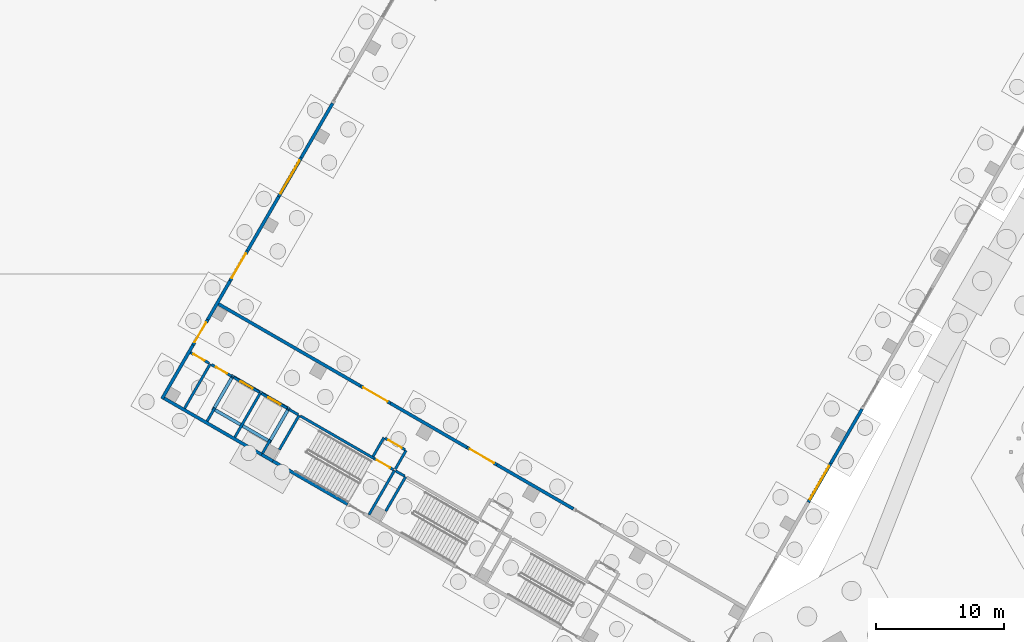
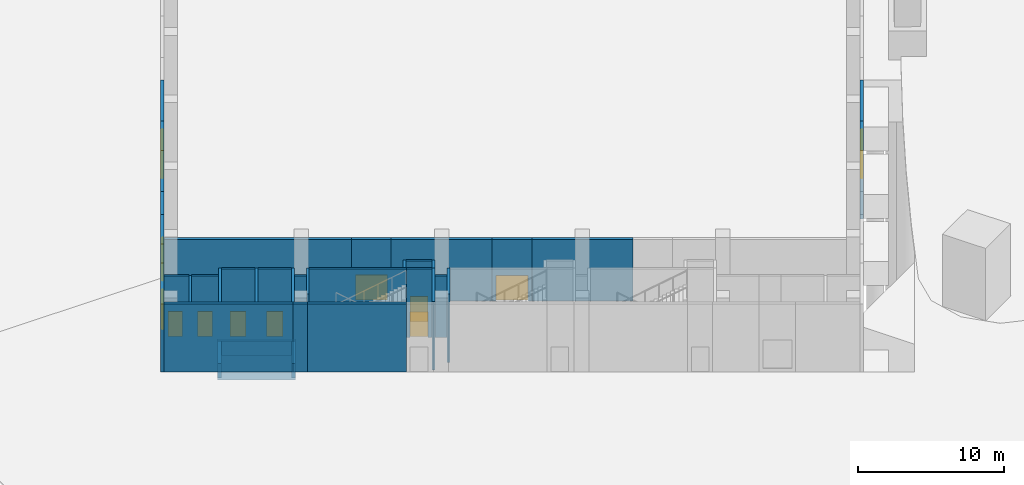
# One storey, part 14 of 38: 39 walls, 10 doors, 2 windows, 12 openings.
"""IFC4 building model written with IfcOpenShell, lengths in metres."""

from ifc_helpers import new_model, si_unit, direction, frame, frame_2d, origin, place, context, subcontext, project, spatial, rectangle, extrude, material, layer, layer_set, type_object, element, fill, save


model = new_model("IFC4")

# Units and contexts
model_context = context("Model", 3, precision=1e-05, world=origin(), true_north=direction((0.0, 1.0)))
body_context = subcontext(model_context, "Body", "Model", "MODEL_VIEW")
ifc_project = project(units=[si_unit("LENGTHUNIT", "METRE"), si_unit("AREAUNIT", "SQUARE_METRE"), si_unit("VOLUMEUNIT", "CUBIC_METRE"), si_unit("PLANEANGLEUNIT", "RADIAN"), si_unit("MASSUNIT", "GRAM", prefix="KILO")], contexts=[model_context])

# Site, building, storey
site_placement = place(None, origin())
site = spatial("IfcSite", under=ifc_project, at=site_placement, CompositionType="ELEMENT")
building_placement = place(site_placement, origin())
building = spatial("IfcBuilding", under=site, at=building_placement, Name="Mestral Congress Tower", CompositionType="ELEMENT")
storey_placement = place(building_placement, origin())
storey = spatial("IfcBuildingStorey", under=building, at=storey_placement, Name="L00", CompositionType="ELEMENT", Elevation=0.0)

# Walls
ifc_material_1 = material(Name="Concrete C35/45", Category="concrete")
ifc_layer_1 = layer(ifc_material_1, 0.25)
ifc_layer_set_1 = layer_set([ifc_layer_1], Name="Concrete C35/45")
wall_type_1 = type_object("IfcWallType", Name="Lift pit wall 250 C35/45", PredefinedType="SOLIDWALL", material=ifc_layer_set_1)
for number, where, z_axis, x_axis, name in (
    (1, (-73.918701171875, 1.42529296875, -1.5), (0.0, 0.0, 1.0), (-0.866029095148, 0.499993606316, 0.0), "WL-PIT-W1-A"),
    (2, (-75.3935546875, -1.12939453125, -1.5), (0.0, 0.0, 1.0), (-0.866029095148, 0.499993606316, 0.0), "WL-PIT-W1-B"),
):
    element("IfcWall", number, at=place(storey_placement, frame(where, z_axis=z_axis, x_axis=x_axis)), inside=storey, type_object=wall_type_1, Name=name, PredefinedType="SOLIDWALL", context=body_context, shape_type="SweptSolid", body=[
        extrude(rectangle(XDim=5.2998046875, YDim=0.25, at=frame_2d((2.64990234375, 0.0))), origin(), (0.0, 0.0, 1.0), 1.199951171875),
    ])
wall_1_placement = place(storey_placement, frame((-74.08935546875, 1.37939453125, -1.5), z_axis=(0.0, 0.0, 1.0), x_axis=(-0.499980770555, -0.866036505625, 0.0)))
element("IfcWall", 3, at=wall_1_placement, inside=storey, type_object=wall_type_1, Name="WL-PIT-W1-C", PredefinedType="SOLIDWALL", context=body_context, shape_type="SweptSolid", body=[
    extrude(rectangle(XDim=2.69970703125, YDim=0.25, at=frame_2d((1.349853515625, 0.0))), origin(), (0.0, 0.0, 1.0), 1.199951171875),
])
wall_2_placement = place(storey_placement, frame((-78.462890625, 3.904541015625, -1.5), z_axis=(0.0, 0.0, 1.0), x_axis=(-0.4999416173, -0.866059108428, 0.0)))
element("IfcWall", 4, at=wall_2_placement, inside=storey, type_object=wall_type_1, Name="WL-PIT-W1-D", PredefinedType="SOLIDWALL", context=body_context, shape_type="SweptSolid", body=[
    extrude(rectangle(XDim=2.699951171875, YDim=0.25, at=frame_2d((1.35009765625, 0.0))), origin(), (0.0, 0.0, 1.0), 1.199951171875),
])
ifc_material_2 = material(Name="Precast concrete C40/50 with limestone facing", Category="masonry")
ifc_layer_2 = layer(ifc_material_2, 0.25)
ifc_layer_set_2 = layer_set([ifc_layer_2], Name="Precast concrete C40/50 with limestone facing")
wall_type_2 = type_object("IfcWallType", Name="Podium external wall 250", PredefinedType="SOLIDWALL", material=ifc_layer_set_2)
wall_3_placement = place(storey_placement, frame((-29.237548828125, 1.465087890625, 0.0), z_axis=(0.0, 0.0, 1.0), x_axis=(-0.49998122708, -0.866036242063, 0.0)))
element("IfcWall", 5, at=wall_3_placement, inside=storey, type_object=wall_type_2, Name="L00 external wall", PredefinedType="SOLIDWALL", context=body_context, shape_type="SweptSolid", body=[
    extrude(rectangle(XDim=4.900146484375, YDim=0.25, at=frame_2d((2.4501953125, 0.0))), origin(), (0.0, 0.0, 1.0), 5.699951171875),
])

# Wall, opening, window
wall_4_placement = place(storey_placement, frame((-31.6875, -2.778564453125, 0.0), z_axis=(0.0, 0.0, 1.0), x_axis=(-0.500010275428, -0.866019471182, 0.0)))
wall_4 = element("IfcWall", 6, at=wall_4_placement, inside=storey, type_object=wall_type_2, Name="L00 external wall", PredefinedType="SOLIDWALL", context=body_context, shape_type="SweptSolid", body=[
    extrude(rectangle(XDim=3.5, YDim=0.25, at=frame_2d((1.75, 0.0))), origin(), (0.0, 0.0, 1.0), 5.699951171875),
])
opening_1_placement = place(wall_4_placement, frame((0.25, 0.0, 3.199951171875)))
opening_1 = element("IfcOpeningElement", 7, at=opening_1_placement, cuts=wall_4, Name="Opening PW-3000x2000", PredefinedType="OPENING", context=body_context, shape_type="SweptSolid", body=[
    extrude(rectangle(XDim=3.0, YDim=2.0, at=frame_2d((1.5, 1.0))), frame((0.0, 0.135009765625, 0.0), z_axis=(0.0, -1.0, 0.0), x_axis=(1.0, 0.0, 0.0)), (0.0, 0.0, 1.0), 0.27001953125),
])
ifc_material_3 = material(Name="Aluminium frame, clear double glazing", Category="aluminium")
window_type = type_object("IfcWindowType", Name="Podium window 3000x2000 sill 3200", PartitioningType="SINGLE_PANEL", PredefinedType="WINDOW", material=ifc_material_3)
window_1_placement = place(opening_1_placement, origin())
window_1 = element("IfcWindow", 8, at=window_1_placement, inside=storey, type_object=window_type, Name="Window", OverallHeight=2.0, OverallWidth=3.0, PartitioningType="SINGLE_PANEL", PredefinedType="WINDOW", context=body_context, shape_type="SweptSolid", body=[
    extrude(rectangle(XDim=3.0, YDim=2.0, at=frame_2d((1.5, 1.0))), frame((0.0, 0.030029296875, 0.0), z_axis=(0.0, -1.0, 0.0), x_axis=(1.0, 0.0, 0.0)), (0.0, 0.0, 1.0), 0.06005859375),
])
fill(opening_1, window_1)

# Wall
wall_5_placement = place(storey_placement, frame((-73.040283203125, 21.096435546875, 0.0), z_axis=(0.0, 0.0, 1.0), x_axis=(0.49998122708, 0.866036242063, 0.0)))
element("IfcWall", 9, at=wall_5_placement, inside=storey, type_object=wall_type_2, Name="L00 external wall", PredefinedType="SOLIDWALL", context=body_context, shape_type="SweptSolid", body=[
    extrude(rectangle(XDim=4.900146484375, YDim=0.25, at=frame_2d((2.4501953125, 0.0))), origin(), (0.0, 0.0, 1.0), 5.699951171875),
])

# Wall, opening, window
wall_6_placement = place(storey_placement, frame((-74.790283203125, 18.0654296875, 0.0), z_axis=(0.0, 0.0, 1.0), x_axis=(0.500010275428, 0.866019471182, 0.0)))
wall_6 = element("IfcWall", 10, at=wall_6_placement, inside=storey, type_object=wall_type_2, Name="L00 external wall", PredefinedType="SOLIDWALL", context=body_context, shape_type="SweptSolid", body=[
    extrude(rectangle(XDim=3.5, YDim=0.25, at=frame_2d((1.75, 0.0))), origin(), (0.0, 0.0, 1.0), 5.699951171875),
])
opening_2_placement = place(wall_6_placement, frame((0.25, 0.0, 3.199951171875)))
opening_2 = element("IfcOpeningElement", 11, at=opening_2_placement, cuts=wall_6, Name="Opening PW-3000x2000", PredefinedType="OPENING", context=body_context, shape_type="SweptSolid", body=[
    extrude(rectangle(XDim=3.0, YDim=2.0, at=frame_2d((1.5, 1.0))), frame((0.0, 0.135009765625, 0.0), z_axis=(0.0, -1.0, 0.0), x_axis=(1.0, 0.0, 0.0)), (0.0, 0.0, 1.0), 0.27001953125),
])
window_2_placement = place(opening_2_placement, origin())
window_2 = element("IfcWindow", 12, at=window_2_placement, inside=storey, type_object=window_type, Name="Window", OverallHeight=2.0, OverallWidth=3.0, PartitioningType="SINGLE_PANEL", PredefinedType="WINDOW", context=body_context, shape_type="SweptSolid", body=[
    extrude(rectangle(XDim=3.0, YDim=2.0, at=frame_2d((1.5, 1.0))), frame((0.0, 0.030029296875, 0.0), z_axis=(0.0, -1.0, 0.0), x_axis=(1.0, 0.0, 0.0)), (0.0, 0.0, 1.0), 0.06005859375),
])
fill(opening_2, window_2)

# Wall
wall_7_placement = place(storey_placement, frame((-77.240234375, 13.822021484375, 0.0), z_axis=(0.0, 0.0, 1.0), x_axis=(0.500002801628, 0.866023786258, 0.0)))
element("IfcWall", 13, at=wall_7_placement, inside=storey, type_object=wall_type_2, Name="L00 external wall", PredefinedType="SOLIDWALL", context=body_context, shape_type="SweptSolid", body=[
    extrude(rectangle(XDim=4.89990234375, YDim=0.25, at=frame_2d((2.449951171875, 0.0))), origin(), (0.0, 0.0, 1.0), 5.699951171875),
])

# Wall, opening, door
wall_8_placement = place(storey_placement, frame((-78.59033203125, 11.483642578125, 0.0), z_axis=(0.0, 0.0, 1.0), x_axis=(0.50000943426, 0.866019956843, 0.0)))
wall_8 = element("IfcWall", 14, at=wall_8_placement, inside=storey, type_object=wall_type_2, Name="L00 external wall", PredefinedType="SOLIDWALL", context=body_context, shape_type="SweptSolid", body=[
    extrude(rectangle(XDim=2.7001953125, YDim=0.25, at=frame_2d((1.35009765625, 0.0))), origin(), (0.0, 0.0, 1.0), 5.699951171875),
])
opening_3_placement = place(wall_8_placement, frame((0.25, 0.0, 0.0)))
opening_3 = element("IfcOpeningElement", 15, at=opening_3_placement, cuts=wall_8, Name="Opening P00-311", PredefinedType="OPENING", context=body_context, shape_type="SweptSolid", body=[
    extrude(rectangle(XDim=2.199951171875, YDim=2.10009765625, at=frame_2d((1.10009765625, 1.050048828125))), frame((0.0, 0.135009765625, 0.0), z_axis=(0.0, -1.0, 0.0), x_axis=(1.0, 0.0, 0.0)), (0.0, 0.0, 1.0), 0.27001953125),
])
ifc_material_4 = material(Name="Steel and glass door set", Category="steel")
door_type_1 = type_object("IfcDoorType", Name="Podium exit door 2200x2100", OperationType="DOUBLE_DOOR_SINGLE_SWING", PredefinedType="DOOR", material=ifc_material_4)
door_1_placement = place(opening_3_placement, origin())
door_1 = element("IfcDoor", 16, at=door_1_placement, inside=storey, type_object=door_type_1, Name="Door P00-311", OperationType="DOUBLE_DOOR_SINGLE_SWING", OverallHeight=2.10009765625, OverallWidth=2.199951171875, PredefinedType="DOOR", context=body_context, shape_type="SweptSolid", body=[
    extrude(rectangle(XDim=2.199951171875, YDim=2.10009765625, at=frame_2d((1.10009765625, 1.050048828125))), frame((0.0, 0.02490234375, 0.0), z_axis=(0.0, -1.0, 0.0), x_axis=(1.0, 0.0, 0.0)), (0.0, 0.0, 1.0), 0.050048828125),
])
fill(opening_3, door_1)

# Wall
wall_9_placement = place(storey_placement, frame((-80.34033203125, 8.452392578125, 0.0), z_axis=(0.0, 0.0, 1.0), x_axis=(0.499980071345, 0.866036909293, 0.0)))
element("IfcWall", 17, at=wall_9_placement, inside=storey, type_object=wall_type_2, Name="L00 external wall", PredefinedType="SOLIDWALL", context=body_context, shape_type="SweptSolid", body=[
    extrude(rectangle(XDim=3.500244140625, YDim=0.25, at=frame_2d((1.75, 0.0))), origin(), (0.0, 0.0, 1.0), 5.699951171875),
])

# Wall, opening, door
wall_10_placement = place(storey_placement, frame((-81.490234375, 6.460693359375, 0.0), z_axis=(0.0, 0.0, 1.0), x_axis=(0.499998129301, 0.86602648383, 0.0)))
wall_10 = element("IfcWall", 18, at=wall_10_placement, inside=storey, type_object=wall_type_2, Name="L00 external wall", PredefinedType="SOLIDWALL", context=body_context, shape_type="SweptSolid", body=[
    extrude(rectangle(XDim=2.2998046875, YDim=0.25, at=frame_2d((1.14990234375, 0.0))), origin(), (0.0, 0.0, 1.0), 5.699951171875),
])
opening_4_placement = place(wall_10_placement, frame((0.25, 0.0, 0.0)))
opening_4 = element("IfcOpeningElement", 19, at=opening_4_placement, cuts=wall_10, Name="Opening P00-312", PredefinedType="OPENING", context=body_context, shape_type="SweptSolid", body=[
    extrude(rectangle(XDim=1.800048828125, YDim=2.10009765625, at=frame_2d((0.89990234375, 1.050048828125))), frame((0.0, 0.135009765625, 0.0), z_axis=(0.0, -1.0, 0.0), x_axis=(1.0, 0.0, 0.0)), (0.0, 0.0, 1.0), 0.27001953125),
])
door_type_2 = type_object("IfcDoorType", Name="Podium exit door 1800x2100", OperationType="DOUBLE_DOOR_SINGLE_SWING", PredefinedType="DOOR", material=ifc_material_4)
door_2_placement = place(opening_4_placement, origin())
door_2 = element("IfcDoor", 20, at=door_2_placement, inside=storey, type_object=door_type_2, Name="Door P00-312", OperationType="DOUBLE_DOOR_SINGLE_SWING", OverallHeight=2.10009765625, OverallWidth=1.800048828125, PredefinedType="DOOR", context=body_context, shape_type="SweptSolid", body=[
    extrude(rectangle(XDim=1.800048828125, YDim=2.10009765625, at=frame_2d((0.89990234375, 1.050048828125))), frame((0.0, 0.02490234375, 0.0), z_axis=(0.0, -1.0, 0.0), x_axis=(1.0, 0.0, 0.0)), (0.0, 0.0, 1.0), 0.050048828125),
])
fill(opening_4, door_2)

# Walls
wall_11_placement = place(storey_placement, frame((-83.915283203125, 2.260498046875, 0.0), z_axis=(0.0, 0.0, 1.0), x_axis=(0.500010041276, 0.866019606374, 0.0)))
element("IfcWall", 21, at=wall_11_placement, inside=storey, type_object=wall_type_2, Name="L00 external wall", PredefinedType="SOLIDWALL", context=body_context, shape_type="SweptSolid", body=[
    extrude(rectangle(XDim=4.85009765625, YDim=0.25, at=frame_2d((2.425048828125, 0.0))), origin(), (0.0, 0.0, 1.0), 5.699951171875),
])
wall_12_placement = place(storey_placement, frame((-69.411865234375, -5.96875, 0.0), z_axis=(0.0, 0.0, 1.0), x_axis=(-0.866026575979, 0.499997969693, 0.0)))
element("IfcWall", 22, at=wall_12_placement, inside=storey, type_object=wall_type_2, Name="L00 external wall", PredefinedType="SOLIDWALL", context=body_context, shape_type="SweptSolid", body=[
    extrude(rectangle(XDim=6.75, YDim=0.25, at=frame_2d((3.375, 0.0))), origin(), (0.0, 0.0, 1.0), 5.699951171875),
])
wall_13_placement = place(storey_placement, frame((-76.12353515625, -2.09375, 0.0), z_axis=(0.0, 0.0, 1.0), x_axis=(-0.866025267465, 0.500000236112, 0.0)))
element("IfcWall", 23, at=wall_13_placement, inside=storey, type_object=wall_type_2, Name="L00 external wall", PredefinedType="SOLIDWALL", context=body_context, shape_type="SweptSolid", body=[
    extrude(rectangle(XDim=8.7998046875, YDim=0.25, at=frame_2d((4.39990234375, 0.0))), origin(), (0.0, 0.0, 1.0), 5.699951171875),
])
wall_14_placement = place(storey_placement, frame((-75.257568359375, -2.59375, 0.0), z_axis=(0.0, 0.0, 1.0), x_axis=(-0.866010750942, 0.50002537861, 0.0)))
element("IfcWall", 24, at=wall_14_placement, inside=storey, type_object=wall_type_2, Name="L00 external wall", PredefinedType="SOLIDWALL", context=body_context, shape_type="SweptSolid", body=[
    extrude(rectangle(XDim=1.0, YDim=0.25, at=frame_2d((0.5, 0.0))), origin(), (0.0, 0.0, 1.0), 5.699951171875),
])
ifc_material_5 = material(Name="Masonry block wall", Category="masonry")
ifc_layer_3 = layer(ifc_material_5, 0.25)
ifc_layer_set_3 = layer_set([ifc_layer_3], Name="Masonry block wall")
wall_type_3 = type_object("IfcWallType", Name="Podium hall wall 250 EI 180", PredefinedType="SOLIDWALL", material=ifc_layer_set_3)
wall_15_placement = place(storey_placement, frame((-51.78173828125, -6.33251953125, 0.0), z_axis=(0.0, 0.0, 1.0), x_axis=(-0.866028853923, 0.499994024137, 0.0)))
element("IfcWall", 25, at=wall_15_placement, inside=storey, type_object=wall_type_3, Name="L00 partition", PredefinedType="SOLIDWALL", context=body_context, shape_type="SweptSolid", body=[
    extrude(rectangle(XDim=6.89990234375, YDim=0.25, at=frame_2d((3.449951171875, 0.0))), origin(), (0.0, 0.0, 1.0), 5.10009765625),
])

# Wall, opening, door
wall_16_placement = place(storey_placement, frame((-57.75732421875, -2.882568359375, 0.0), z_axis=(0.0, 0.0, 1.0), x_axis=(-0.866036505625, 0.499980770555, 0.0)))
wall_16 = element("IfcWall", 26, at=wall_16_placement, inside=storey, type_object=wall_type_3, Name="L00 partition", PredefinedType="SOLIDWALL", context=body_context, shape_type="SweptSolid", body=[
    extrude(rectangle(XDim=2.69970703125, YDim=0.25, at=frame_2d((1.349853515625, 0.0))), origin(), (0.0, 0.0, 1.0), 5.10009765625),
])
opening_5_placement = place(wall_16_placement, frame((0.25, 0.0, 0.0)))
opening_5 = element("IfcOpeningElement", 27, at=opening_5_placement, cuts=wall_16, Name="Opening P00-339", PredefinedType="OPENING", context=body_context, shape_type="SweptSolid", body=[
    extrude(rectangle(XDim=2.199951171875, YDim=2.10009765625, at=frame_2d((1.10009765625, 1.050048828125))), frame((0.0, 0.135009765625, 0.0), z_axis=(0.0, -1.0, 0.0), x_axis=(1.0, 0.0, 0.0)), (0.0, 0.0, 1.0), 0.27001953125),
])
ifc_material_6 = material(Name="Fire-rated steel door set", Category="steel")
door_type_3 = type_object("IfcDoorType", Name="Podium hall door 2200x2100 EI2 90-C5", OperationType="DOUBLE_DOOR_SINGLE_SWING", PredefinedType="DOOR", material=ifc_material_6)
door_3_placement = place(opening_5_placement, origin())
door_3 = element("IfcDoor", 28, at=door_3_placement, inside=storey, type_object=door_type_3, Name="Door P00-339", OperationType="DOUBLE_DOOR_SINGLE_SWING", OverallHeight=2.10009765625, OverallWidth=2.199951171875, PredefinedType="DOOR", context=body_context, shape_type="SweptSolid", body=[
    extrude(rectangle(XDim=2.199951171875, YDim=2.10009765625, at=frame_2d((1.10009765625, 1.050048828125))), frame((0.0, 0.02490234375, 0.0), z_axis=(0.0, -1.0, 0.0), x_axis=(1.0, 0.0, 0.0)), (0.0, 0.0, 1.0), 0.050048828125),
])
fill(opening_5, door_3)

# Wall
wall_17_placement = place(storey_placement, frame((-60.095458984375, -1.53271484375, 0.0), z_axis=(0.0, 0.0, 1.0), x_axis=(-0.866013532718, 0.500020560727, 0.0)))
element("IfcWall", 29, at=wall_17_placement, inside=storey, type_object=wall_type_3, Name="L00 partition", PredefinedType="SOLIDWALL", context=body_context, shape_type="SweptSolid", body=[
    extrude(rectangle(XDim=6.900146484375, YDim=0.25, at=frame_2d((3.4501953125, 0.0))), origin(), (0.0, 0.0, 1.0), 5.10009765625),
])

# Wall, opening, door
wall_18_placement = place(storey_placement, frame((-66.071044921875, 1.91748046875, 0.0), z_axis=(0.0, 0.0, 1.0), x_axis=(-0.866059108428, 0.4999416173, 0.0)))
wall_18 = element("IfcWall", 30, at=wall_18_placement, inside=storey, type_object=wall_type_3, Name="L00 partition", PredefinedType="SOLIDWALL", context=body_context, shape_type="SweptSolid", body=[
    extrude(rectangle(XDim=2.699951171875, YDim=0.25, at=frame_2d((1.35009765625, 0.0))), origin(), (0.0, 0.0, 1.0), 5.10009765625),
])
opening_6_placement = place(wall_18_placement, frame((0.25, 0.0, 0.0)))
opening_6 = element("IfcOpeningElement", 31, at=opening_6_placement, cuts=wall_18, Name="Opening P00-340", PredefinedType="OPENING", context=body_context, shape_type="SweptSolid", body=[
    extrude(rectangle(XDim=2.199951171875, YDim=2.10009765625, at=frame_2d((1.10009765625, 1.050048828125))), frame((0.0, 0.135009765625, 0.0), z_axis=(0.0, -1.0, 0.0), x_axis=(1.0, 0.0, 0.0)), (0.0, 0.0, 1.0), 0.27001953125),
])
door_4_placement = place(opening_6_placement, origin())
door_4 = element("IfcDoor", 32, at=door_4_placement, inside=storey, type_object=door_type_3, Name="Door P00-340", OperationType="DOUBLE_DOOR_SINGLE_SWING", OverallHeight=2.10009765625, OverallWidth=2.199951171875, PredefinedType="DOOR", context=body_context, shape_type="SweptSolid", body=[
    extrude(rectangle(XDim=2.199951171875, YDim=2.10009765625, at=frame_2d((1.10009765625, 1.050048828125))), frame((0.0, 0.02490234375, 0.0), z_axis=(0.0, -1.0, 0.0), x_axis=(1.0, 0.0, 0.0)), (0.0, 0.0, 1.0), 0.050048828125),
])
fill(opening_6, door_4)

# Walls
wall_19_placement = place(storey_placement, frame((-68.409423828125, 3.267333984375, 0.0), z_axis=(0.0, 0.0, 1.0), x_axis=(-0.866017240552, 0.500014138866, 0.0)))
element("IfcWall", 33, at=wall_19_placement, inside=storey, type_object=wall_type_3, Name="L00 partition", PredefinedType="SOLIDWALL", context=body_context, shape_type="SweptSolid", body=[
    extrude(rectangle(XDim=12.800048828125, YDim=0.25, at=frame_2d((6.39990234375, 0.0))), origin(), (0.0, 0.0, 1.0), 5.10009765625),
])
ifc_layer_4 = layer(ifc_material_5, 0.199951171875)
ifc_layer_set_4 = layer_set([ifc_layer_4], Name="Masonry block wall")
wall_type_4 = type_object("IfcWallType", Name="Podium stair enclosure wall 200 EI 120 load-bearing", PredefinedType="SOLIDWALL", material=ifc_layer_set_4)
wall_20_placement = place(storey_placement, frame((-64.881103515625, -3.8212890625, 0.0), z_axis=(0.0, 0.0, 1.0), x_axis=(-0.49999285859, -0.86602952684, 0.0)))
element("IfcWall", 34, at=wall_20_placement, inside=storey, type_object=wall_type_4, Name="L00 partition", PredefinedType="SOLIDWALL", context=body_context, shape_type="SweptSolid", body=[
    extrude(rectangle(XDim=3.10009765625, YDim=0.199951171875, at=frame_2d((1.550048828125, 0.0))), origin(), (0.0, 0.0, 1.0), 5.699951171875),
])
wall_21_placement = place(storey_placement, frame((-65.7470703125, -3.3212890625, 0.0), z_axis=(0.0, 0.0, 1.0), x_axis=(-0.49999894854, -0.866026010844, 0.0)))
element("IfcWall", 35, at=wall_21_placement, inside=storey, type_object=wall_type_4, Name="L00 partition", PredefinedType="SOLIDWALL", context=body_context, shape_type="SweptSolid", body=[
    extrude(rectangle(XDim=4.0, YDim=0.199951171875, at=frame_2d((2.0, 0.0))), origin(), (0.0, 0.0, 1.0), 5.699951171875),
])
wall_22_placement = place(storey_placement, frame((-73.195068359375, 0.978515625, 0.0), z_axis=(0.0, 0.0, 1.0), x_axis=(-0.500026960575, -0.86600983753, 0.0)))
element("IfcWall", 36, at=wall_22_placement, inside=storey, type_object=wall_type_4, Name="L00 partition", PredefinedType="SOLIDWALL", context=body_context, shape_type="SweptSolid", body=[
    extrude(rectangle(XDim=3.099853515625, YDim=0.199951171875, at=frame_2d((1.5498046875, 0.0))), origin(), (0.0, 0.0, 1.0), 5.699951171875),
])

# Wall, opening, door
wall_23_placement = place(storey_placement, frame((-65.833740234375, -3.271484375, 0.0), z_axis=(0.0, 0.0, 1.0), x_axis=(-0.866036909293, 0.499980071345, 0.0)))
wall_23 = element("IfcWall", 37, at=wall_23_placement, inside=storey, type_object=wall_type_4, Name="L00 partition", PredefinedType="SOLIDWALL", context=body_context, shape_type="SweptSolid", body=[
    extrude(rectangle(XDim=1.75, YDim=0.199951171875, at=frame_2d((0.875, 0.0))), origin(), (0.0, 0.0, 1.0), 5.699951171875),
])
opening_7_placement = place(wall_23_placement, frame((0.300048828125, 0.0, 0.0)))
opening_7 = element("IfcOpeningElement", 38, at=opening_7_placement, cuts=wall_23, Name="Opening P00-324", PredefinedType="OPENING", context=body_context, shape_type="SweptSolid", body=[
    extrude(rectangle(XDim=1.199951171875, YDim=2.10009765625, at=frame_2d((0.60009765625, 1.050048828125))), frame((0.0, 0.10986328125, 0.0), z_axis=(0.0, -1.0, 0.0), x_axis=(1.0, 0.0, 0.0)), (0.0, 0.0, 1.0), 0.219970703125),
])
door_type_4 = type_object("IfcDoorType", Name="Podium stair door 1200x2100 EI2 30-C5", OperationType="SINGLE_SWING_LEFT", PredefinedType="DOOR", material=ifc_material_6)
door_5_placement = place(opening_7_placement, origin())
door_5 = element("IfcDoor", 39, at=door_5_placement, inside=storey, type_object=door_type_4, Name="Door P00-324", OperationType="SINGLE_SWING_LEFT", OverallHeight=2.10009765625, OverallWidth=1.199951171875, PredefinedType="DOOR", context=body_context, shape_type="SweptSolid", body=[
    extrude(rectangle(XDim=1.199951171875, YDim=2.10009765625, at=frame_2d((0.60009765625, 1.050048828125))), frame((0.0, 0.02490234375, 0.0), z_axis=(0.0, -1.0, 0.0), x_axis=(1.0, 0.0, 0.0)), (0.0, 0.0, 1.0), 0.050048828125),
])
fill(opening_7, door_5)

# Walls
wall_24_placement = place(storey_placement, frame((-67.349365234375, -2.396484375, 0.0), z_axis=(0.0, 0.0, 1.0), x_axis=(-0.86601134256, 0.500024353964, 0.0)))
element("IfcWall", 40, at=wall_24_placement, inside=storey, type_object=wall_type_4, Name="L00 partition", PredefinedType="SOLIDWALL", context=body_context, shape_type="SweptSolid", body=[
    extrude(rectangle(XDim=6.650146484375, YDim=0.199951171875, at=frame_2d((3.3251953125, 0.0))), origin(), (0.0, 0.0, 1.0), 5.699951171875),
])
for number, where, z_axis, x_axis, name in (
    (41, (-74.06103515625, 1.478515625, 0.0), (0.0, 0.0, 1.0), (-0.49999894854, -0.866026010844, 0.0), "L00 partition"),
    (42, (-76.22607421875, 2.728515625, 0.0), (0.0, 0.0, 1.0), (-0.49999894854, -0.866026010844, 0.0), "L00 partition"),
    (43, (-78.39111328125, 3.978515625, 0.0), (0.0, 0.0, 1.0), (-0.49999894854, -0.866026010844, 0.0), "L00 partition"),
):
    element("IfcWall", number, at=place(storey_placement, frame(where, z_axis=z_axis, x_axis=x_axis)), inside=storey, type_object=wall_type_4, Name=name, PredefinedType="SOLIDWALL", context=body_context, shape_type="SweptSolid", body=[
        extrude(rectangle(XDim=4.0, YDim=0.199951171875, at=frame_2d((2.0, 0.0))), origin(), (0.0, 0.0, 1.0), 5.699951171875),
    ])

# Wall, opening, door
wall_25_placement = place(storey_placement, frame((-74.147705078125, 1.528564453125, 0.0), z_axis=(0.0, 0.0, 1.0), x_axis=(-0.865980515519, 0.500077740698, 0.0)))
wall_25 = element("IfcWall", 44, at=wall_25_placement, inside=storey, type_object=wall_type_4, Name="L00 partition", PredefinedType="SOLIDWALL", context=body_context, shape_type="SweptSolid", body=[
    extrude(rectangle(XDim=2.300048828125, YDim=0.199951171875, at=frame_2d((1.14990234375, 0.0))), origin(), (0.0, 0.0, 1.0), 5.699951171875),
])
opening_8_placement = place(wall_25_placement, frame((0.60009765625, 0.0, 0.0)))
opening_8 = element("IfcOpeningElement", 45, at=opening_8_placement, cuts=wall_25, Name="Opening P00-327", PredefinedType="OPENING", context=body_context, shape_type="SweptSolid", body=[
    extrude(rectangle(XDim=1.10009765625, YDim=2.10009765625, at=frame_2d((0.550048828125, 1.050048828125))), frame((0.0, 0.10986328125, 0.0), z_axis=(0.0, -1.0, 0.0), x_axis=(1.0, 0.0, 0.0)), (0.0, 0.0, 1.0), 0.219970703125),
])
door_type_5 = type_object("IfcDoorType", Name="Podium lift landing door 1100x2100 EI2 60-C5", OperationType="DOUBLE_DOOR_SLIDING", PredefinedType="DOOR", material=ifc_material_6)
door_6_placement = place(opening_8_placement, origin())
door_6 = element("IfcDoor", 46, at=door_6_placement, inside=storey, type_object=door_type_5, Name="Door P00-327", OperationType="DOUBLE_DOOR_SLIDING", OverallHeight=2.10009765625, OverallWidth=1.10009765625, PredefinedType="DOOR", context=body_context, shape_type="SweptSolid", body=[
    extrude(rectangle(XDim=1.10009765625, YDim=2.10009765625, at=frame_2d((0.550048828125, 1.050048828125))), frame((0.0, 0.02490234375, 0.0), z_axis=(0.0, -1.0, 0.0), x_axis=(1.0, 0.0, 0.0)), (0.0, 0.0, 1.0), 0.050048828125),
])
fill(opening_8, door_6)

wall_26_placement = place(storey_placement, frame((-76.312744140625, 2.778564453125, 0.0), z_axis=(0.0, 0.0, 1.0), x_axis=(-0.865980515519, 0.500077740698, 0.0)))
wall_26 = element("IfcWall", 47, at=wall_26_placement, inside=storey, type_object=wall_type_4, Name="L00 partition", PredefinedType="SOLIDWALL", context=body_context, shape_type="SweptSolid", body=[
    extrude(rectangle(XDim=2.300048828125, YDim=0.199951171875, at=frame_2d((1.14990234375, 0.0))), origin(), (0.0, 0.0, 1.0), 5.699951171875),
])
opening_9_placement = place(wall_26_placement, frame((0.60009765625, 0.0, 0.0)))
opening_9 = element("IfcOpeningElement", 48, at=opening_9_placement, cuts=wall_26, Name="Opening P00-328", PredefinedType="OPENING", context=body_context, shape_type="SweptSolid", body=[
    extrude(rectangle(XDim=1.10009765625, YDim=2.10009765625, at=frame_2d((0.550048828125, 1.050048828125))), frame((0.0, 0.10986328125, 0.0), z_axis=(0.0, -1.0, 0.0), x_axis=(1.0, 0.0, 0.0)), (0.0, 0.0, 1.0), 0.219970703125),
])
door_7_placement = place(opening_9_placement, origin())
door_7 = element("IfcDoor", 49, at=door_7_placement, inside=storey, type_object=door_type_5, Name="Door P00-328", OperationType="DOUBLE_DOOR_SLIDING", OverallHeight=2.10009765625, OverallWidth=1.10009765625, PredefinedType="DOOR", context=body_context, shape_type="SweptSolid", body=[
    extrude(rectangle(XDim=1.10009765625, YDim=2.10009765625, at=frame_2d((0.550048828125, 1.050048828125))), frame((0.0, 0.02490234375, 0.0), z_axis=(0.0, -1.0, 0.0), x_axis=(1.0, 0.0, 0.0)), (0.0, 0.0, 1.0), 0.050048828125),
])
fill(opening_9, door_7)

# Walls
ifc_material_7 = material(Name="Fire-rated board partition")
ifc_layer_5 = layer(ifc_material_7, 0.199951171875)
ifc_layer_set_5 = layer_set([ifc_layer_5], Name="Fire-rated board partition")
wall_type_5 = type_object("IfcWallType", Name="Podium vestibule wall 200 EI 120", PredefinedType="PARTITIONING", material=ifc_layer_set_5)
for number, where, z_axis, x_axis, name in (
    (50, (-64.84716796875, -1.7626953125, 0.0), (0.0, 0.0, 1.0), (-0.499954529098, -0.86605165483, 0.0), "L00 partition"),
    (51, (-66.5791015625, -0.7626953125, 0.0), (0.0, 0.0, 1.0), (-0.500062241894, -0.865989465428, 0.0), "L00 partition"),
):
    element("IfcWall", number, at=place(storey_placement, frame(where, z_axis=z_axis, x_axis=x_axis)), inside=storey, type_object=wall_type_5, Name=name, PredefinedType="PARTITIONING", context=body_context, shape_type="SweptSolid", body=[
        extrude(rectangle(XDim=1.699951171875, YDim=0.199951171875, at=frame_2d((0.85009765625, 0.0))), origin(), (0.0, 0.0, 1.0), 5.10009765625),
    ])

# Wall, opening, door
wall_27_placement = place(storey_placement, frame((-64.93359375, -1.712646484375, 0.0), z_axis=(0.0, 0.0, 1.0), x_axis=(-0.866022985545, 0.500004188491, 0.0)))
wall_27 = element("IfcWall", 52, at=wall_27_placement, inside=storey, type_object=wall_type_5, Name="L00 partition", PredefinedType="PARTITIONING", context=body_context, shape_type="SweptSolid", body=[
    extrude(rectangle(XDim=1.80029296875, YDim=0.199951171875, at=frame_2d((0.900146484375, 0.0))), origin(), (0.0, 0.0, 1.0), 5.10009765625),
])
opening_10_placement = place(wall_27_placement, frame((0.300048828125, 0.0, 0.0)))
opening_10 = element("IfcOpeningElement", 53, at=opening_10_placement, cuts=wall_27, Name="Opening P00-334", PredefinedType="OPENING", context=body_context, shape_type="SweptSolid", body=[
    extrude(rectangle(XDim=1.199951171875, YDim=2.10009765625, at=frame_2d((0.60009765625, 1.050048828125))), frame((0.0, 0.10986328125, 0.0), z_axis=(0.0, -1.0, 0.0), x_axis=(1.0, 0.0, 0.0)), (0.0, 0.0, 1.0), 0.219970703125),
])
door_type_6 = type_object("IfcDoorType", Name="Podium vestibule door 1200x2100 EI2 30-C5", OperationType="SINGLE_SWING_LEFT", PredefinedType="DOOR", material=ifc_material_6)
door_8_placement = place(opening_10_placement, origin())
door_8 = element("IfcDoor", 54, at=door_8_placement, inside=storey, type_object=door_type_6, Name="Door P00-334", OperationType="SINGLE_SWING_LEFT", OverallHeight=2.10009765625, OverallWidth=1.199951171875, PredefinedType="DOOR", context=body_context, shape_type="SweptSolid", body=[
    extrude(rectangle(XDim=1.199951171875, YDim=2.10009765625, at=frame_2d((0.60009765625, 1.050048828125))), frame((0.0, 0.02490234375, 0.0), z_axis=(0.0, -1.0, 0.0), x_axis=(1.0, 0.0, 0.0)), (0.0, 0.0, 1.0), 0.050048828125),
])
fill(opening_10, door_8)

# Wall
wall_28_placement = place(storey_placement, frame((-80.144775390625, 4.9912109375, 0.0), z_axis=(0.0, 0.0, 1.0), x_axis=(-0.49999894854, -0.866026010844, 0.0)))
element("IfcWall", 55, at=wall_28_placement, inside=storey, type_object=wall_type_5, Name="L00 partition", PredefinedType="PARTITIONING", context=body_context, shape_type="SweptSolid", body=[
    extrude(rectangle(XDim=4.0, YDim=0.199951171875, at=frame_2d((2.0, 0.0))), origin(), (0.0, 0.0, 1.0), 5.10009765625),
])

# Wall, opening, door
wall_29_placement = place(storey_placement, frame((-78.477783203125, 4.028564453125, 0.0), z_axis=(0.0, 0.0, 1.0), x_axis=(-0.865978377894, 0.500081442387, 0.0)))
wall_29 = element("IfcWall", 56, at=wall_29_placement, inside=storey, type_object=wall_type_5, Name="L00 partition", PredefinedType="PARTITIONING", context=body_context, shape_type="SweptSolid", body=[
    extrude(rectangle(XDim=1.824951171875, YDim=0.199951171875, at=frame_2d((0.91259765625, 0.0))), origin(), (0.0, 0.0, 1.0), 5.10009765625),
])
opening_11_placement = place(wall_29_placement, frame((0.41259765625, 0.0, 0.0)))
opening_11 = element("IfcOpeningElement", 57, at=opening_11_placement, cuts=wall_29, Name="Opening P00-345", PredefinedType="OPENING", context=body_context, shape_type="SweptSolid", body=[
    extrude(rectangle(XDim=1.0, YDim=2.10009765625, at=frame_2d((0.5, 1.050048828125))), frame((0.0, 0.10986328125, 0.0), z_axis=(0.0, -1.0, 0.0), x_axis=(1.0, 0.0, 0.0)), (0.0, 0.0, 1.0), 0.219970703125),
])
door_type_7 = type_object("IfcDoorType", Name="Podium room door 1000x2100 EI2 30-C5", OperationType="SINGLE_SWING_LEFT", PredefinedType="DOOR", material=ifc_material_6)
door_9_placement = place(opening_11_placement, origin())
door_9 = element("IfcDoor", 58, at=door_9_placement, inside=storey, type_object=door_type_7, Name="Door P00-345", OperationType="SINGLE_SWING_LEFT", OverallHeight=2.10009765625, OverallWidth=1.0, PredefinedType="DOOR", context=body_context, shape_type="SweptSolid", body=[
    extrude(rectangle(XDim=1.0, YDim=2.10009765625, at=frame_2d((0.5, 1.050048828125))), frame((0.0, 0.02490234375, 0.0), z_axis=(0.0, -1.0, 0.0), x_axis=(1.0, 0.0, 0.0)), (0.0, 0.0, 1.0), 0.050048828125),
])
fill(opening_11, door_9)

wall_30_placement = place(storey_placement, frame((-80.2314453125, 5.041015625, 0.0), z_axis=(0.0, 0.0, 1.0), x_axis=(-0.865964676353, 0.500105168249, 0.0)))
wall_30 = element("IfcWall", 59, at=wall_30_placement, inside=storey, type_object=wall_type_5, Name="L00 partition", PredefinedType="PARTITIONING", context=body_context, shape_type="SweptSolid", body=[
    extrude(rectangle(XDim=1.675048828125, YDim=0.199951171875, at=frame_2d((0.83740234375, 0.0))), origin(), (0.0, 0.0, 1.0), 5.10009765625),
])
opening_12_placement = place(wall_30_placement, frame((0.41259765625, 0.0, 0.0)))
opening_12 = element("IfcOpeningElement", 60, at=opening_12_placement, cuts=wall_30, Name="Opening P00-346", PredefinedType="OPENING", context=body_context, shape_type="SweptSolid", body=[
    extrude(rectangle(XDim=1.0, YDim=2.10009765625, at=frame_2d((0.5, 1.050048828125))), frame((0.0, 0.10986328125, 0.0), z_axis=(0.0, -1.0, 0.0), x_axis=(1.0, 0.0, 0.0)), (0.0, 0.0, 1.0), 0.219970703125),
])
door_10_placement = place(opening_12_placement, origin())
door_10 = element("IfcDoor", 61, at=door_10_placement, inside=storey, type_object=door_type_7, Name="Door P00-346", OperationType="SINGLE_SWING_LEFT", OverallHeight=2.10009765625, OverallWidth=1.0, PredefinedType="DOOR", context=body_context, shape_type="SweptSolid", body=[
    extrude(rectangle(XDim=1.0, YDim=2.10009765625, at=frame_2d((0.5, 1.050048828125))), frame((0.0, 0.02490234375, 0.0), z_axis=(0.0, -1.0, 0.0), x_axis=(1.0, 0.0, 0.0)), (0.0, 0.0, 1.0), 0.050048828125),
])
fill(opening_12, door_10)

# Walls
wall_31_placement = place(storey_placement, frame((-64.9677734375, -3.771484375, 0.0), z_axis=(0.0, 0.0, 1.0), x_axis=(-0.865885638426, 0.500242002602, 0.0)))
element("IfcWall", 62, at=wall_31_placement, inside=storey, type_object=wall_type_5, Name="L00 partition", PredefinedType="PARTITIONING", context=body_context, shape_type="SweptSolid", body=[
    extrude(rectangle(XDim=0.7998046875, YDim=0.199951171875, at=frame_2d((0.39990234375, 0.0))), origin(), (0.0, 0.0, 1.0), 5.10009765625),
])
wall_32_placement = place(storey_placement, frame((-73.281494140625, 1.028564453125, 0.0), z_axis=(0.0, 0.0, 1.0), x_axis=(-0.865961984968, 0.500109828528, 0.0)))
element("IfcWall", 63, at=wall_32_placement, inside=storey, type_object=wall_type_5, Name="L00 partition", PredefinedType="PARTITIONING", context=body_context, shape_type="SweptSolid", body=[
    extrude(rectangle(XDim=0.800048828125, YDim=0.199951171875, at=frame_2d((0.39990234375, 0.0))), origin(), (0.0, 0.0, 1.0), 5.10009765625),
])

save(model, "model.ifc")
